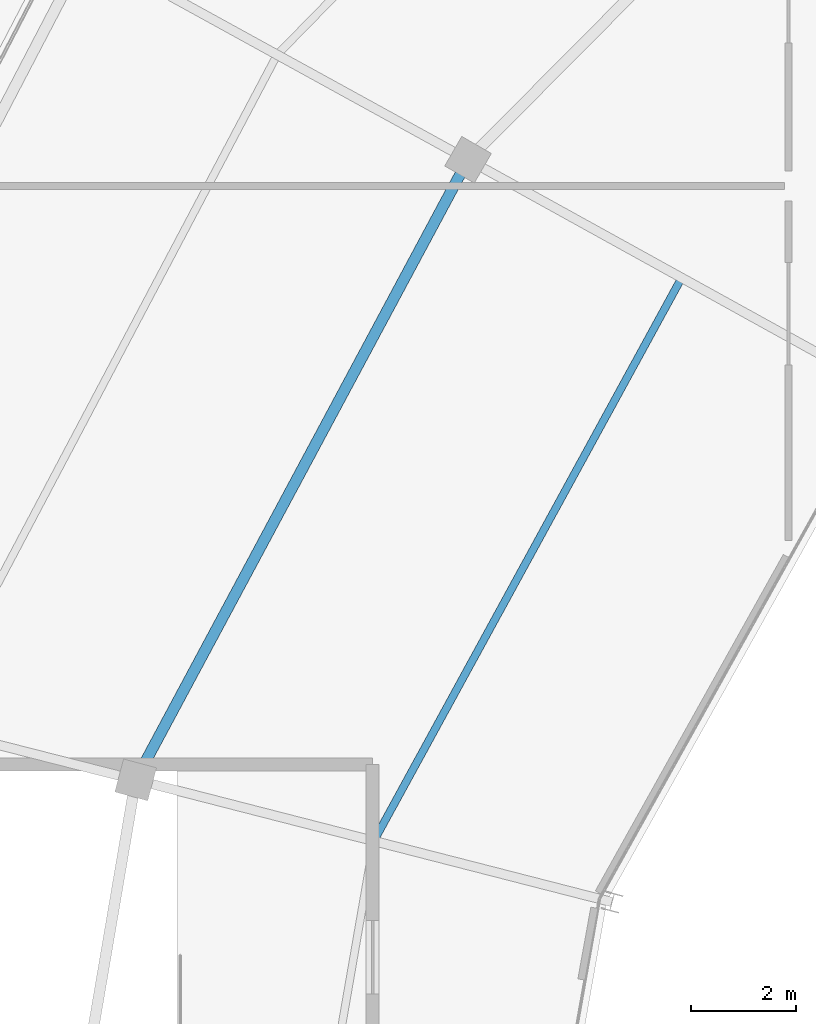
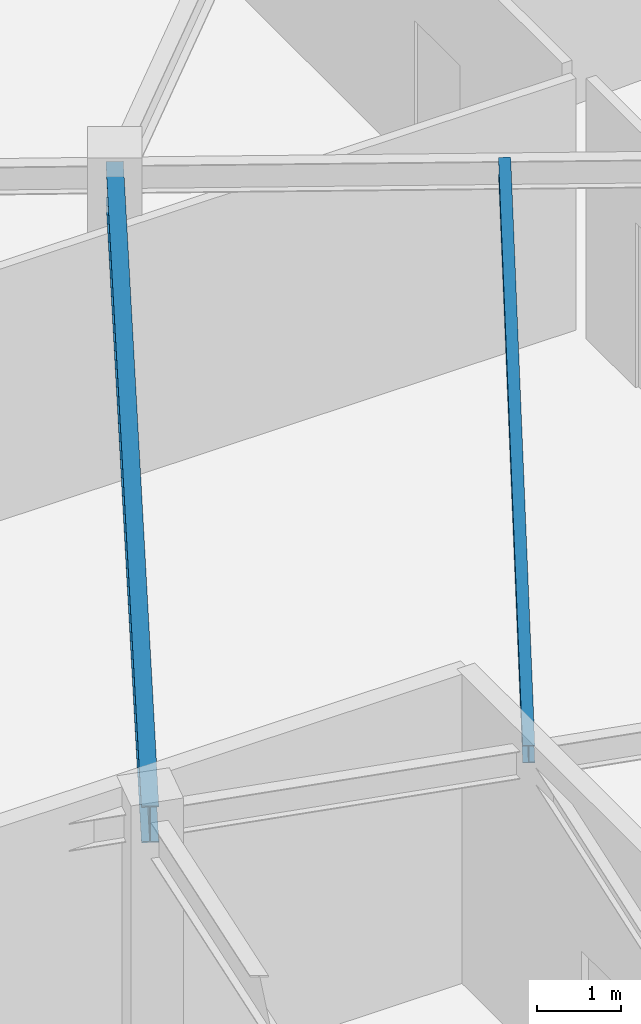
# One storey, part 55 of 126: 2 beams.
"""IFC4 building model written with IfcOpenShell, lengths in metres."""

from ifc_helpers import new_model, si_unit, direction, frame, origin, origin_2d, place, context, subcontext, project, spatial, i_section, extrude, material, material_profile, profile_set, type_object, element, save


model = new_model("IFC4")

# Units and contexts
model_context = context("Model", 3, precision=1e-05, world=origin(), true_north=direction((0.0, 1.0)))
body_context = subcontext(model_context, "Body", "Model", "MODEL_VIEW")
ifc_project = project(units=[si_unit("LENGTHUNIT", "METRE"), si_unit("AREAUNIT", "SQUARE_METRE"), si_unit("VOLUMEUNIT", "CUBIC_METRE"), si_unit("PLANEANGLEUNIT", "RADIAN"), si_unit("MASSUNIT", "GRAM", prefix="KILO")], contexts=[model_context])

# Site, building, storey
site_placement = place(None, origin())
site = spatial("IfcSite", under=ifc_project, at=site_placement, CompositionType="ELEMENT")
building_placement = place(site_placement, origin())
building = spatial("IfcBuilding", under=site, at=building_placement, Name="Kalgoora Escarpment Arena", CompositionType="ELEMENT")
storey_placement = place(building_placement, frame((0.0, 0.0, 18.89990234375)))
storey = spatial("IfcBuildingStorey", under=building, at=storey_placement, Name="L04", CompositionType="ELEMENT", Elevation=18.89990234375)

# Beams
ifc_material_1 = material(Name="Structural steel AS/NZS 3679 (300 MPa)", Category="steel")
ifc_material_profile_1 = material_profile(ifc_material_1, i_section(OverallWidth=0.14599609375, OverallDepth=0.256103515625, WebThickness=0.00634765625, FlangeThickness=0.010986328125, at=origin_2d()))
ifc_profile_set_1 = profile_set([ifc_material_profile_1], Name="Structural steel AS/NZS 3679 (300 MPa)")
beam_type_1 = type_object("IfcBeamType", Name="BM-BEAM-250UB37.3", PredefinedType="BEAM", material=ifc_profile_set_1)
beam_1_placement = place(storey_placement, frame((41.564208984375, 86.25, 4.092041015625), z_axis=(-0.479471601887, -0.877557395835, 0.0), x_axis=(0.877557395835, -0.479471601887, 0.0)))
element("IfcBeam", 1, at=beam_1_placement, inside=storey, type_object=beam_type_1, Name="L04 Concourse secondary ring beam 250UB37.3", PredefinedType="BEAM", context=body_context, shape_type="SweptSolid", body=[
    extrude(i_section(OverallWidth=0.14599609375, OverallDepth=0.256103515625, WebThickness=0.00634765625, FlangeThickness=0.010986328125, at=origin_2d()), origin(), (0.0, 0.0, 1.0), 12.230224609375),
])
ifc_material_2 = material(Name="Structural steel AS/NZS 3679 (300 MPa)", Category="steel")
ifc_material_profile_2 = material_profile(ifc_material_2, i_section(OverallWidth=0.208984375, OverallDepth=0.532958984375, WebThickness=0.01025390625, FlangeThickness=0.015625, at=origin_2d()))
ifc_profile_set_2 = profile_set([ifc_material_profile_2], Name="Structural steel AS/NZS 3679 (300 MPa)")
beam_type_2 = type_object("IfcBeamType", Name="BM-GIRDER-530UB92.4", PredefinedType="USERDEFINED", material=ifc_profile_set_2)
beam_2_placement = place(storey_placement, frame((37.493896484375, 88.5, 3.95361328125), z_axis=(-0.47236591953, -0.881402540311, 0.0), x_axis=(0.881402540311, -0.47236591953, 0.0)))
element("IfcBeam", 2, at=beam_2_placement, inside=storey, type_object=beam_type_2, Name="L04 Circumferential concourse girder RCONC1 530UB92.4", ObjectType="GIRDER", PredefinedType="USERDEFINED", context=body_context, shape_type="SweptSolid", body=[
    extrude(i_section(OverallWidth=0.208984375, OverallDepth=0.532958984375, WebThickness=0.01025390625, FlangeThickness=0.015625, at=origin_2d()), origin(), (0.0, 0.0, 1.0), 13.407958984375),
])

save(model, "model.ifc")
